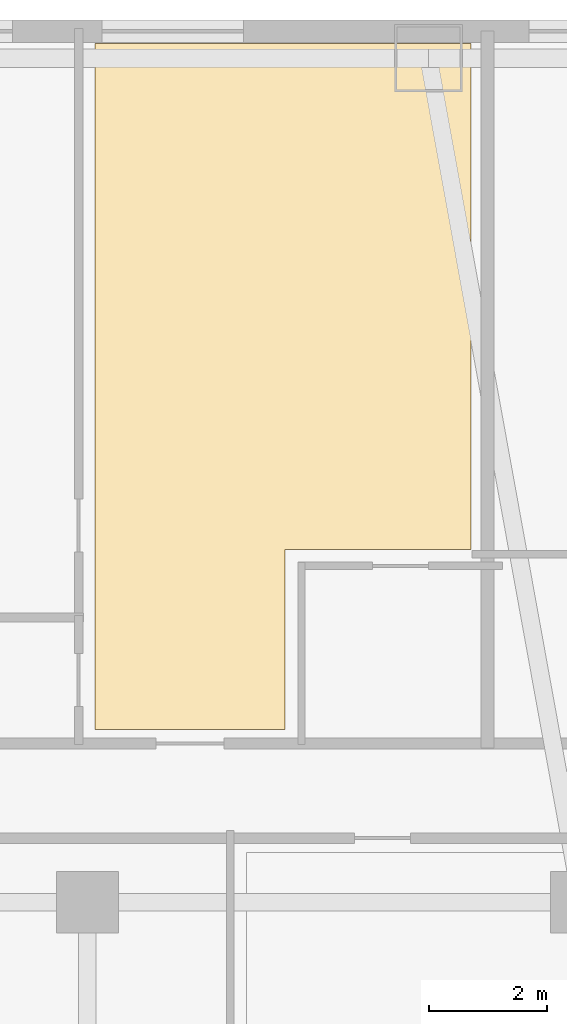
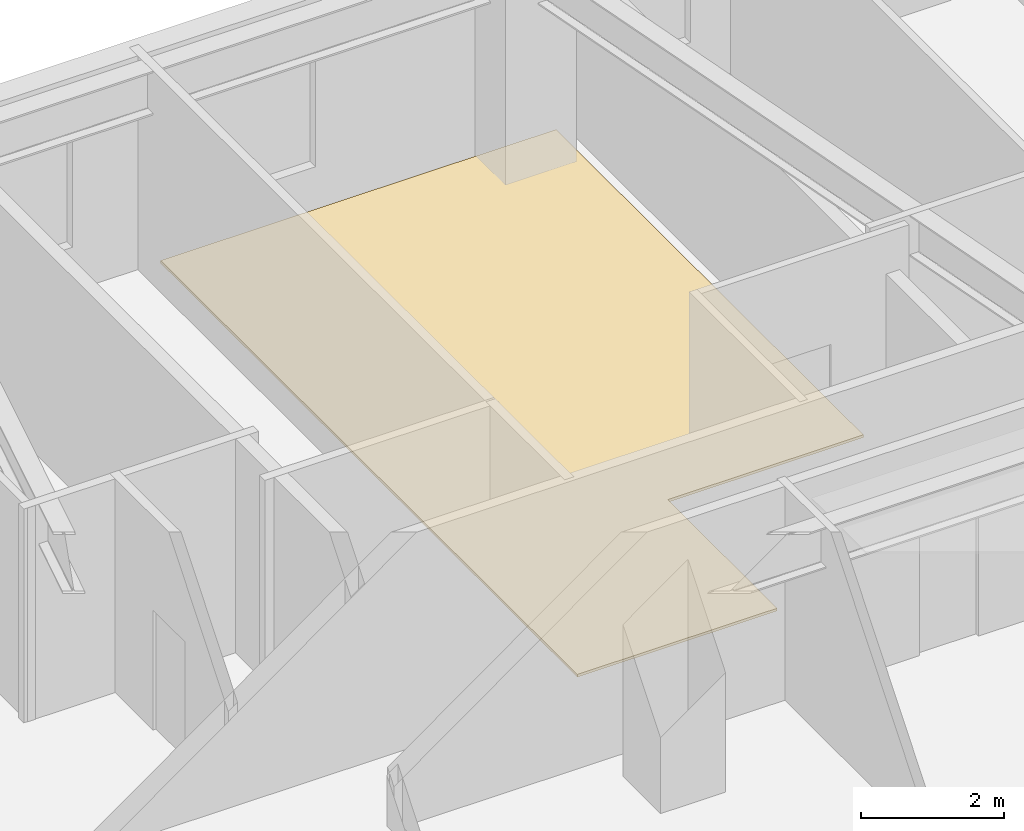
# One storey, part 12 of 12: 1 covering.
"""IFC4 building model written with IfcOpenShell, lengths in metres."""

import ifcopenshell
import ifcopenshell.guid

model = None  # the IFC model being written
_history = None  # IfcOwnerHistory: only IFC2X3 demands one
_inside = {}  # id of a spatial element -> (the spatial element, [elements in it])
_under = {}  # id of a project, library or spatial element -> (it, [spatial elements below it])
_declared = {}  # id of a project -> (the project, [libraries it declares])
_typed = {}  # id of a type object -> (the type object, [elements of that type])
_made_of = {}  # id of a material, layer set ... -> (it, [elements and type objects made of it])


def new_model(schema):
    """Start an empty IFC model of exactly this schema.

    Asked for "IFC4X3", IfcOpenShell would pick the latest addendum, in which some entities
    have other attributes; the version numbers below select the first issue.
    IFC2X3 requires an IfcOwnerHistory on every rooted entity: one is made here for all.
    """
    global model, _history
    if schema == "IFC4X3":
        model = ifcopenshell.file(schema_version=(4, 3, 0, 0))
    else:
        model = ifcopenshell.file(schema=schema)
    _inside.clear()
    _under.clear()
    _declared.clear()
    _typed.clear()
    _made_of.clear()
    _history = None
    if model.schema == "IFC2X3":
        org = make("IfcOrganization", Name="unknown")
        user = make(
            "IfcPersonAndOrganization",
            ThePerson=make("IfcPerson", FamilyName="unknown"),
            TheOrganization=org,
        )
        app = make(
            "IfcApplication",
            ApplicationDeveloper=org,
            Version="unknown",
            ApplicationFullName="unknown",
            ApplicationIdentifier="unknown",
        )
        _history = make(
            "IfcOwnerHistory",
            OwningUser=user,
            OwningApplication=app,
            ChangeAction="ADDED",
            CreationDate=0,
        )
    return model


def make(cls, **values):
    """One entity of the class cls with the attributes given. An attribute that is None is left unset."""
    return model.create_entity(
        cls, **{name: value for name, value in values.items() if value is not None}
    )


def rooted(cls, **values):
    """An entity with a GlobalId (a new one), such as an element, a storey or a relation."""
    return make(cls, GlobalId=ifcopenshell.guid.new(), OwnerHistory=_history, **values)


def si_unit(unit_type, name, prefix=None):
    """IfcSIUnit, for example si_unit("LENGTHUNIT", "METRE", prefix="MILLI")."""
    return make("IfcSIUnit", UnitType=unit_type, Prefix=prefix, Name=name)


def assignment(units):
    """IfcUnitAssignment: the units of a project."""
    return None if units is None else make("IfcUnitAssignment", Units=units)


def point(xyz):
    """IfcCartesianPoint."""
    return None if xyz is None else make("IfcCartesianPoint", Coordinates=xyz)


def direction(xyz):
    """IfcDirection."""
    return None if xyz is None else make("IfcDirection", DirectionRatios=xyz)


def frame(location, z_axis=None, x_axis=None):
    """IfcAxis2Placement3D, a coordinate frame: its origin and axes. An axis left out is left unset."""
    return make(
        "IfcAxis2Placement3D",
        Location=point(location),
        Axis=direction(z_axis),
        RefDirection=direction(x_axis),
    )


def origin():
    """The frame at (0, 0, 0) with its axes left unset."""
    return frame((0.0, 0.0, 0.0))


def place(relative_to, where):
    """IfcLocalPlacement: puts the frame where relative to a parent placement (None: the world)."""
    return make(
        "IfcLocalPlacement", PlacementRelTo=relative_to, RelativePlacement=where
    )


def context(
    kind, dimensions, precision=None, world=None, true_north=None, identifier=None
):
    """IfcGeometricRepresentationContext, for example the 3D "Model" context."""
    return make(
        "IfcGeometricRepresentationContext",
        ContextIdentifier=identifier,
        ContextType=kind,
        CoordinateSpaceDimension=dimensions,
        Precision=precision,
        WorldCoordinateSystem=world,
        TrueNorth=true_north,
    )


def subcontext(parent, identifier, kind, view, scale=None):
    """IfcGeometricRepresentationSubContext, for example "Body" below "Model"."""
    return make(
        "IfcGeometricRepresentationSubContext",
        ContextIdentifier=identifier,
        ContextType=kind,
        ParentContext=parent,
        TargetScale=scale,
        TargetView=view,
    )


def project(units=None, contexts=None):
    """IfcProject with its units and contexts."""
    return rooted(
        "IfcProject",
        Name="project",
        RepresentationContexts=contexts,
        UnitsInContext=assignment(units),
    )


def spatial(cls, under=None, at=None, **own):
    """A site, building, storey or space (cls), placed at a placement, below another one or the project."""
    s = rooted(cls, ObjectPlacement=at, **own)
    if under is not None:
        _under.setdefault(under.id(), (under, []))[1].append(s)
    return s


def polyline(points):
    """IfcPolyline through the points."""
    return make("IfcPolyline", Points=[point(p) for p in points])


def outline(outer, holes=None, kind="AREA"):
    """IfcArbitraryClosedProfileDef: a profile drawn as a closed curve; with holes, ...WithVoids."""
    if holes is None:
        return make("IfcArbitraryClosedProfileDef", ProfileType=kind, OuterCurve=outer)
    return make(
        "IfcArbitraryProfileDefWithVoids",
        ProfileType=kind,
        OuterCurve=outer,
        InnerCurves=holes,
    )


def extrude(swept, where, along, depth):
    """IfcExtrudedAreaSolid: the profile swept, set in the frame where, extruded along a direction by depth."""
    return make(
        "IfcExtrudedAreaSolid",
        SweptArea=swept,
        Position=where,
        ExtrudedDirection=direction(along),
        Depth=depth,
    )


def shape(context_of_items, identifier, shape_type, items):
    """IfcShapeRepresentation: the items that make up one representation, for example the "Body"."""
    return make(
        "IfcShapeRepresentation",
        ContextOfItems=context_of_items,
        RepresentationIdentifier=identifier,
        RepresentationType=shape_type,
        Items=items,
    )


def material(Name=None, Category=None):
    """IfcMaterial."""
    return make("IfcMaterial", Name=Name, Category=Category)


def layer(
    of_material, thickness, ventilated=None, Name=None, Category=None, Priority=None
):
    """IfcMaterialLayer: one layer of a wall or slab, of a material (None: an air gap)."""
    return make(
        "IfcMaterialLayer",
        Material=of_material,
        LayerThickness=thickness,
        IsVentilated=ventilated,
        Name=Name,
        Category=Category,
        Priority=Priority,
    )


def layer_set(layers, Name=None):
    """IfcMaterialLayerSet."""
    return make("IfcMaterialLayerSet", MaterialLayers=layers, LayerSetName=Name)


def made_of(thing, what):
    """Note that an element or type object is made of a material, layer set ...; save() writes the relation."""
    if what is not None:
        _made_of.setdefault(what.id(), (what, []))[1].append(thing)
    return thing


def type_object(cls, material=None, **own):
    """A type object (cls), such as IfcWallType, which elements share."""
    return made_of(rooted(cls, **own), material)


def element(
    cls,
    number,
    at=None,
    inside=None,
    cuts=None,
    type_object=None,
    material=None,
    context=None,
    identifier="Body",
    shape_type=None,
    held_by="IfcProductDefinitionShape",
    body=None,
    shapes=None,
    **own,
):
    """One element of the class cls, such as IfcWall. Its Tag is "e" and its number.

    at: its placement. inside: the storey or other place that contains it. cuts: it is an
    opening in that element (IfcRelVoidsElement). A single representation is given by context,
    identifier, shape_type and body (its items); several are given by shapes. held_by: the class
    of the entity that holds the representations. save() writes the other relations.
    """
    e = rooted(cls, Tag="e%d" % number, ObjectPlacement=at, **own)
    if body is not None:
        shapes = [shape(context, identifier, shape_type, body)]
    if shapes is not None:
        e.Representation = make(held_by, Representations=shapes)
    if inside is not None:
        _inside.setdefault(inside.id(), (inside, []))[1].append(e)
    if cuts is not None:
        rooted(
            "IfcRelVoidsElement", RelatingBuildingElement=cuts, RelatedOpeningElement=e
        )
    if type_object is not None:
        _typed.setdefault(type_object.id(), (type_object, []))[1].append(e)
    return made_of(e, material)


def aggregate(whole, parts):
    """IfcRelAggregates: a whole, such as a stair, and the parts it consists of."""
    return rooted("IfcRelAggregates", RelatingObject=whole, RelatedObjects=parts)


def save(model, path):
    """Write the relations noted so far, then the file.

    IfcRelAggregates (storeys below a building ...), IfcRelContainedInSpatialStructure (elements
    in a storey), IfcRelDefinesByType, IfcRelAssociatesMaterial and IfcRelDeclares: one each for
    every whole, place, type object, material and project.
    """
    for whole, parts in _under.values():
        aggregate(whole, parts)
    for where, things in _inside.values():
        rooted(
            "IfcRelContainedInSpatialStructure",
            RelatedElements=things,
            RelatingStructure=where,
        )
    for kind, things in _typed.values():
        rooted("IfcRelDefinesByType", RelatedObjects=things, RelatingType=kind)
    for what, things in _made_of.values():
        rooted("IfcRelAssociatesMaterial", RelatedObjects=things, RelatingMaterial=what)
    for by, libraries in _declared.values():
        rooted("IfcRelDeclares", RelatingContext=by, RelatedDefinitions=libraries)
    model.write(path)


model = new_model("IFC4")

# Units and contexts
model_context = context("Model", 3, precision=1e-05, world=origin(), true_north=direction((0.0, 1.0)))
body_context = subcontext(model_context, "Body", "Model", "MODEL_VIEW")
ifc_project = project(units=[si_unit("LENGTHUNIT", "METRE"), si_unit("AREAUNIT", "SQUARE_METRE"), si_unit("VOLUMEUNIT", "CUBIC_METRE"), si_unit("PLANEANGLEUNIT", "RADIAN"), si_unit("MASSUNIT", "GRAM", prefix="KILO")], contexts=[model_context])

# Site, building, storey
site_placement = place(None, origin())
site = spatial("IfcSite", under=ifc_project, at=site_placement, CompositionType="ELEMENT")
building_placement = place(site_placement, origin())
building = spatial("IfcBuilding", under=site, at=building_placement, Name="Voryun Gate Residences", CompositionType="ELEMENT")
storey_placement = place(building_placement, frame((0.0, 0.0, 41.60009765625)))
storey = spatial("IfcBuildingStorey", under=building, at=storey_placement, Name="L09", CompositionType="ELEMENT", Elevation=41.60009765625)

# Covering
ifc_material = material(Name="Architectural oak flooring")
ifc_layer = layer(ifc_material, 0.044921875, Name="COV_FLOOR_ONDOL_OAK")
ifc_layer_set = layer_set([ifc_layer], Name="Architectural oak flooring")
covering_type = type_object("IfcCoveringType", Name="COV_FLOOR_ONDOL_OAK", PredefinedType="FLOORING", material=ifc_layer_set)
covering_placement = place(storey_placement, origin())
element("IfcCovering", 1, at=covering_placement, inside=storey, type_object=covering_type, Name="Ondol oak floor FLR-L09-01", PredefinedType="FLOORING", context=body_context, shape_type="SweptSolid", body=[
    extrude(outline(polyline([(2.320068359375, 21.99755859375), (2.320068359375, 13.39990234375), (-0.840087890625, 13.39990234375), (-0.840087890625, 10.340087890625), (-4.068115234375, 10.340087890625), (-4.068115234375, 21.99755859375), (2.320068359375, 21.99755859375)])), origin(), (0.0, 0.0, 1.0), 0.044921875),
])

save(model, "model.ifc")
